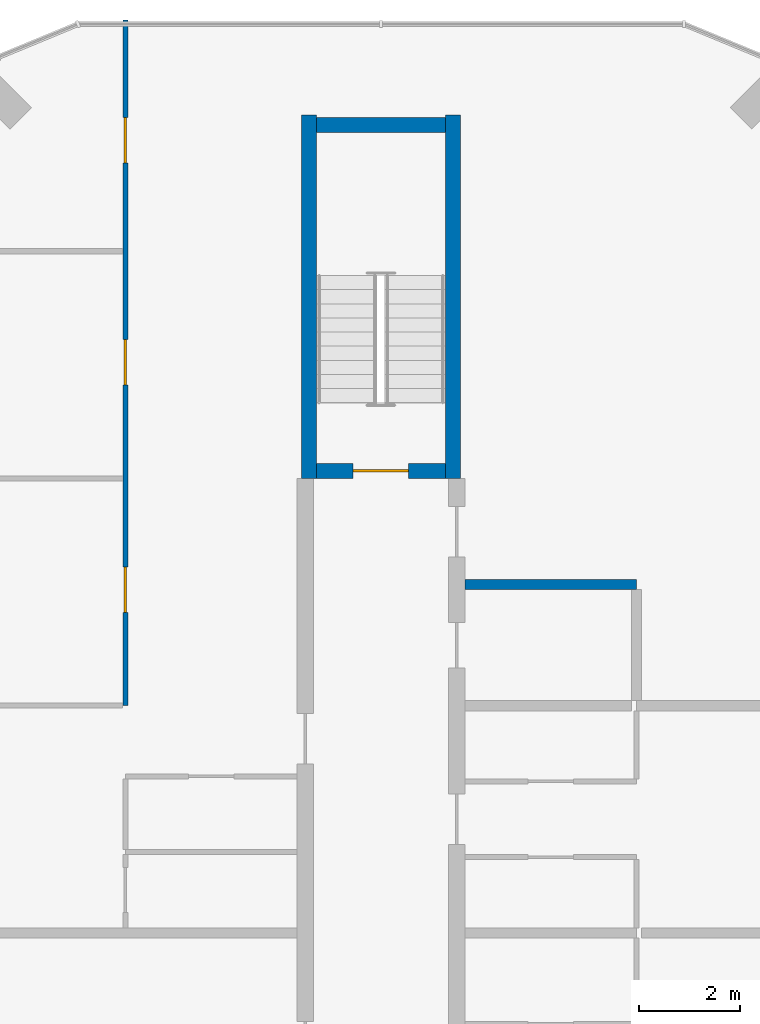
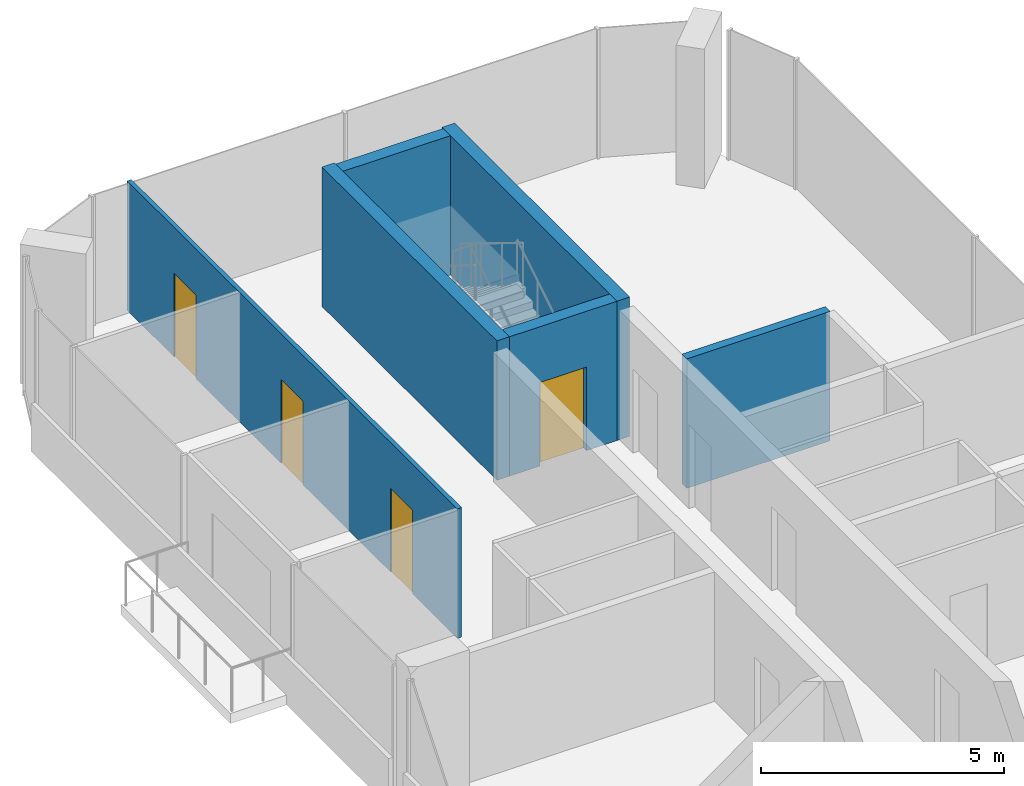
# One storey, part 17 of 23: 6 walls, 4 doors, 4 openings.
"""IFC4 building model written with IfcOpenShell, lengths in metres."""

from ifc_helpers import new_model, si_unit, direction, frame, frame_2d, origin, place, context, subcontext, project, spatial, rectangle, extrude, material, layer, layer_set, type_object, element, fill, save


model = new_model("IFC4")

# Units and contexts
model_context = context("Model", 3, precision=1e-05, world=origin(), true_north=direction((0.0, 1.0)))
body_context = subcontext(model_context, "Body", "Model", "MODEL_VIEW")
ifc_project = project(units=[si_unit("LENGTHUNIT", "METRE"), si_unit("AREAUNIT", "SQUARE_METRE"), si_unit("VOLUMEUNIT", "CUBIC_METRE"), si_unit("PLANEANGLEUNIT", "RADIAN"), si_unit("MASSUNIT", "GRAM", prefix="KILO")], contexts=[model_context])

# Site, building, storey
site_placement = place(None, origin())
site = spatial("IfcSite", under=ifc_project, at=site_placement, CompositionType="ELEMENT")
building_placement = place(site_placement, origin())
building = spatial("IfcBuilding", under=site, at=building_placement, Name="Plateau Cross Towers", CompositionType="ELEMENT")
storey_placement = place(building_placement, frame((0.0, 0.0, 81.800048828125)))
storey = spatial("IfcBuildingStorey", under=building, at=storey_placement, Name="L20", CompositionType="ELEMENT", Elevation=81.800048828125)

# Wall, openings, doors
ifc_material_1 = material(Name="Gypsum board on steel studs", Category="steel")
ifc_layer_1 = layer(ifc_material_1, 0.10009765625)
ifc_layer_set_1 = layer_set([ifc_layer_1], Name="Gypsum board on steel studs")
wall_type_1 = type_object("IfcWallType", Name="Flat partition 100", PredefinedType="PARTITIONING", material=ifc_layer_set_1)
wall_1_placement = place(storey_placement, frame((3.9375, 40.5, 0.0), z_axis=(0.0, 0.0, 1.0), x_axis=(0.0, 1.0, 0.0)))
wall_1 = element("IfcWall", 1, at=wall_1_placement, inside=storey, type_object=wall_type_1, Name="Partition wall", PredefinedType="PARTITIONING", context=body_context, shape_type="SweptSolid", body=[
    extrude(rectangle(XDim=13.580078125, YDim=0.10009765625, at=frame_2d((6.7900390625, 0.0))), origin(), (0.0, 0.0, 1.0), 3.25),
])
opening_1_placement = place(wall_1_placement, frame((1.85009765625, 0.0, 0.0)))
opening_1 = element("IfcOpeningElement", 2, at=opening_1_placement, cuts=wall_1, Name="Opening 20-40", PredefinedType="OPENING", context=body_context, shape_type="SweptSolid", body=[
    extrude(rectangle(XDim=0.89990234375, YDim=2.10009765625, at=frame_2d((0.449951171875, 1.050048828125))), frame((0.0, 0.06005859375, 0.0), z_axis=(0.0, -1.0, 0.0), x_axis=(1.0, 0.0, 0.0)), (0.0, 0.0, 1.0), 0.1201171875),
])
opening_2_placement = place(wall_1_placement, frame((6.35009765625, 0.0, 0.0)))
opening_2 = element("IfcOpeningElement", 3, at=opening_2_placement, cuts=wall_1, Name="Opening 20-41", PredefinedType="OPENING", context=body_context, shape_type="SweptSolid", body=[
    extrude(rectangle(XDim=0.89990234375, YDim=2.10009765625, at=frame_2d((0.449951171875, 1.050048828125))), frame((0.0, 0.06005859375, 0.0), z_axis=(0.0, -1.0, 0.0), x_axis=(1.0, 0.0, 0.0)), (0.0, 0.0, 1.0), 0.1201171875),
])
opening_3_placement = place(wall_1_placement, frame((10.75, 0.0, 0.0)))
opening_3 = element("IfcOpeningElement", 4, at=opening_3_placement, cuts=wall_1, Name="Opening 20-42", PredefinedType="OPENING", context=body_context, shape_type="SweptSolid", body=[
    extrude(rectangle(XDim=0.89990234375, YDim=2.10009765625, at=frame_2d((0.449951171875, 1.050048828125))), frame((0.0, 0.06005859375, 0.0), z_axis=(0.0, -1.0, 0.0), x_axis=(1.0, 0.0, 0.0)), (0.0, 0.0, 1.0), 0.1201171875),
])
ifc_material_2 = material(Name="Timber leaf", Category="wood")
door_type_1 = type_object("IfcDoorType", Name="Flat room door 900", OperationType="NOTDEFINED", PredefinedType="DOOR", material=ifc_material_2)
door_1_placement = place(opening_1_placement, origin())
door_1 = element("IfcDoor", 5, at=door_1_placement, inside=storey, type_object=door_type_1, Name="Door 20-40", OperationType="SINGLE_SWING_LEFT", OverallHeight=2.10009765625, OverallWidth=0.89990234375, PredefinedType="DOOR", context=body_context, shape_type="SweptSolid", body=[
    extrude(rectangle(XDim=0.89990234375, YDim=2.10009765625, at=frame_2d((0.449951171875, 1.050048828125))), frame((0.0, 0.02490234375, 0.0), z_axis=(0.0, -1.0, 0.0), x_axis=(1.0, 0.0, 0.0)), (0.0, 0.0, 1.0), 0.050048828125),
])
fill(opening_1, door_1)
door_2_placement = place(opening_2_placement, origin())
door_2 = element("IfcDoor", 6, at=door_2_placement, inside=storey, type_object=door_type_1, Name="Door 20-41", OperationType="SINGLE_SWING_RIGHT", OverallHeight=2.10009765625, OverallWidth=0.89990234375, PredefinedType="DOOR", context=body_context, shape_type="SweptSolid", body=[
    extrude(rectangle(XDim=0.89990234375, YDim=2.10009765625, at=frame_2d((0.449951171875, 1.050048828125))), frame((0.0, 0.02490234375, 0.0), z_axis=(0.0, -1.0, 0.0), x_axis=(1.0, 0.0, 0.0)), (0.0, 0.0, 1.0), 0.050048828125),
])
fill(opening_2, door_2)
door_3_placement = place(opening_3_placement, origin())
door_3 = element("IfcDoor", 7, at=door_3_placement, inside=storey, type_object=door_type_1, Name="Door 20-42", OperationType="SINGLE_SWING_RIGHT", OverallHeight=2.10009765625, OverallWidth=0.89990234375, PredefinedType="DOOR", context=body_context, shape_type="SweptSolid", body=[
    extrude(rectangle(XDim=0.89990234375, YDim=2.10009765625, at=frame_2d((0.449951171875, 1.050048828125))), frame((0.0, 0.02490234375, 0.0), z_axis=(0.0, -1.0, 0.0), x_axis=(1.0, 0.0, 0.0)), (0.0, 0.0, 1.0), 0.050048828125),
])
fill(opening_3, door_3)

# Wall
ifc_material_3 = material(Name="Gypsum board on steel studs, two layers each side", Category="steel")
ifc_layer_2 = layer(ifc_material_3, 0.199951171875)
ifc_layer_set_2 = layer_set([ifc_layer_2], Name="Gypsum board on steel studs, two layers each side")
wall_type_2 = type_object("IfcWallType", Name="Flat party wall 200", PredefinedType="PARTITIONING", material=ifc_layer_set_2)
wall_2_placement = place(storey_placement, frame((14.0625, 42.89990234375, 0.0), z_axis=(0.0, 0.0, 1.0), x_axis=(-1.0, 0.0, 0.0)))
element("IfcWall", 8, at=wall_2_placement, inside=storey, type_object=wall_type_2, Name="Party wall", PredefinedType="PARTITIONING", context=body_context, shape_type="SweptSolid", body=[
    extrude(rectangle(XDim=3.39990234375, YDim=0.199951171875, at=frame_2d((1.699951171875, 0.0))), origin(), (0.0, 0.0, 1.0), 3.25),
])

# Wall, opening, door
ifc_material_4 = material(Name="Concrete C60/75", Category="concrete")
ifc_layer_3 = layer(ifc_material_4, 0.300048828125)
ifc_layer_set_3 = layer_set([ifc_layer_3], Name="Concrete C60/75")
wall_type_3 = type_object("IfcWallType", Name="Stair tower wall 300", PredefinedType="SHEAR", material=ifc_layer_set_3)
wall_3_placement = place(storey_placement, frame((7.72509765625, 45.14990234375, 0.0), z_axis=(0.0, 0.0, 1.0), x_axis=(1.0, 0.0, 0.0)))
wall_3 = element("IfcWall", 9, at=wall_3_placement, inside=storey, type_object=wall_type_3, Name="A-end-N-S@L20", PredefinedType="SHEAR", context=body_context, shape_type="SweptSolid", body=[
    extrude(rectangle(XDim=2.5498046875, YDim=0.300048828125, at=frame_2d((1.27490234375, 0.0))), origin(), (0.0, 0.0, 1.0), 3.5),
])
opening_4_placement = place(wall_3_placement, frame((0.72509765625, 0.0, 0.0)))
opening_4 = element("IfcOpeningElement", 10, at=opening_4_placement, cuts=wall_3, Name="Opening SD", PredefinedType="OPENING", context=body_context, shape_type="SweptSolid", body=[
    extrude(rectangle(XDim=1.10009765625, YDim=2.10009765625, at=frame_2d((0.550048828125, 1.050048828125))), frame((0.0, 0.159912109375, 0.0), z_axis=(0.0, -1.0, 0.0), x_axis=(1.0, 0.0, 0.0)), (0.0, 0.0, 1.0), 0.320068359375),
])
ifc_material_5 = material(Name="Steel, fire-resisting leaf", Category="steel")
door_type_2 = type_object("IfcDoorType", Name="Stair door 1100", OperationType="NOTDEFINED", PredefinedType="DOOR", material=ifc_material_5)
door_4_placement = place(opening_4_placement, origin())
door_4 = element("IfcDoor", 11, at=door_4_placement, inside=storey, type_object=door_type_2, Name="Stair door SD", OperationType="SINGLE_SWING_LEFT", OverallHeight=2.10009765625, OverallWidth=1.10009765625, PredefinedType="DOOR", context=body_context, shape_type="SweptSolid", body=[
    extrude(rectangle(XDim=1.10009765625, YDim=2.10009765625, at=frame_2d((0.550048828125, 1.050048828125))), frame((0.0, 0.02490234375, 0.0), z_axis=(0.0, -1.0, 0.0), x_axis=(1.0, 0.0, 0.0)), (0.0, 0.0, 1.0), 0.050048828125),
])
fill(opening_4, door_4)

# Walls
wall_4_placement = place(storey_placement, frame((7.72509765625, 52.0, 0.0), z_axis=(0.0, 0.0, 1.0), x_axis=(1.0, 0.0, 0.0)))
element("IfcWall", 12, at=wall_4_placement, inside=storey, type_object=wall_type_3, Name="A-end-N-N@L20", PredefinedType="SHEAR", context=body_context, shape_type="SweptSolid", body=[
    extrude(rectangle(XDim=2.5498046875, YDim=0.300048828125, at=frame_2d((1.27490234375, 0.0))), origin(), (0.0, 0.0, 1.0), 3.5),
])
for number, where, z_axis, x_axis, name in (
    (13, (7.574951171875, 45.0, 0.0), (0.0, 0.0, 1.0), (0.0, 1.0, 0.0), "A-end-N-W@L20"),
    (14, (10.425048828125, 45.0, 0.0), (0.0, 0.0, 1.0), (0.0, 1.0, 0.0), "A-end-N-E@L20"),
):
    element("IfcWall", number, at=place(storey_placement, frame(where, z_axis=z_axis, x_axis=x_axis)), inside=storey, type_object=wall_type_3, Name=name, PredefinedType="SHEAR", context=body_context, shape_type="SweptSolid", body=[
        extrude(rectangle(XDim=7.199951171875, YDim=0.300048828125, at=frame_2d((3.60009765625, 0.0))), origin(), (0.0, 0.0, 1.0), 3.5),
    ])

save(model, "model.ifc")
